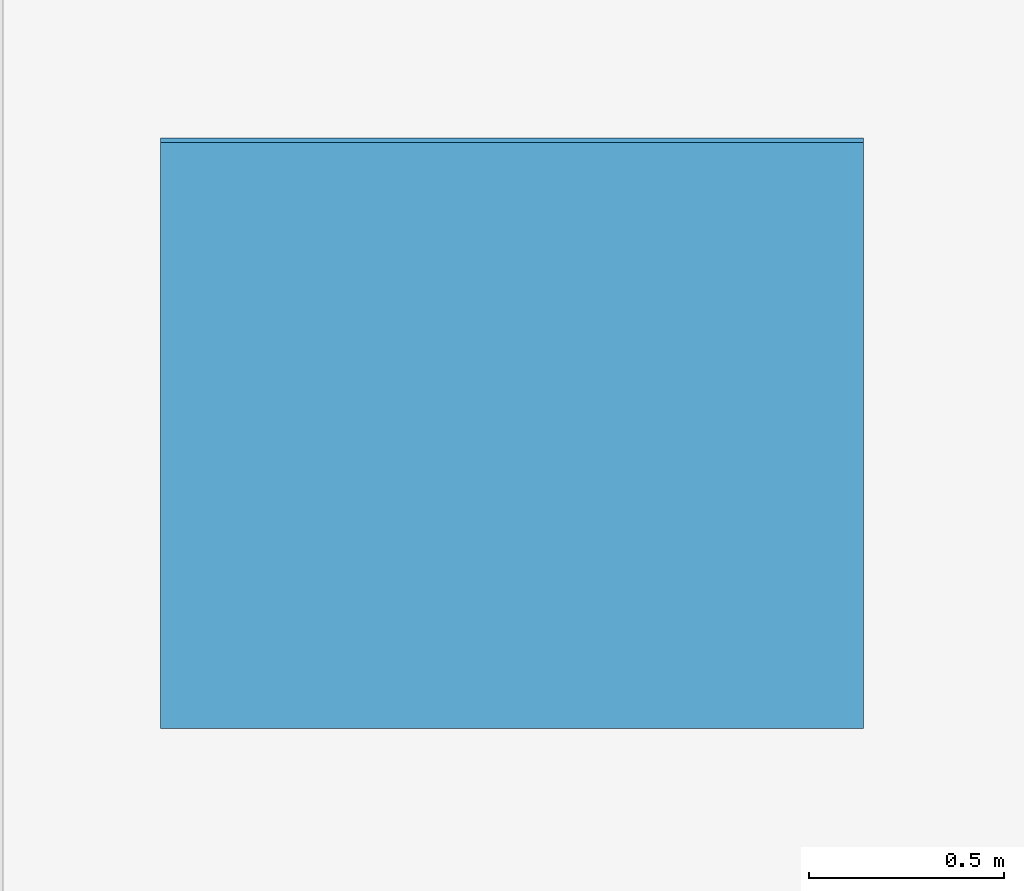
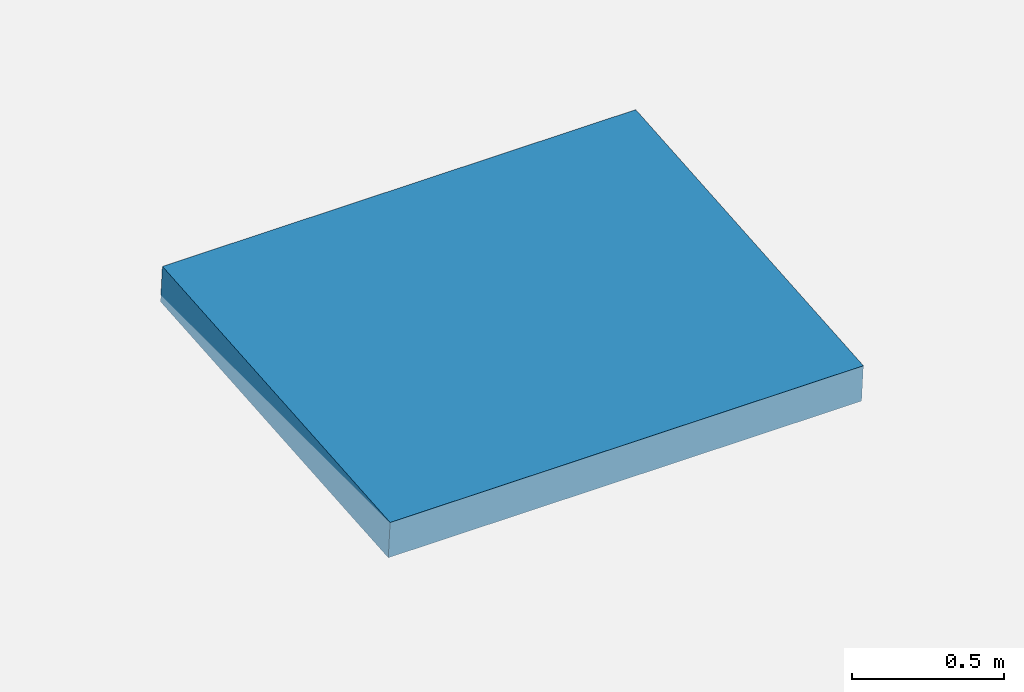
# One storey, part 14 of 24: 1 ramp, 1 ramp flight.
"""IFC4 building model written with IfcOpenShell, lengths in metres."""

from ifc_helpers import new_model, si_unit, direction, frame, origin, place, context, subcontext, project, spatial, polyline, outline, extrude, material, layer, layer_set, type_object, element, aggregate, save


model = new_model("IFC4")

# Units and contexts
model_context = context("Model", 3, precision=1e-05, world=origin(), true_north=direction((0.0, 1.0)))
body_context = subcontext(model_context, "Body", "Model", "MODEL_VIEW")
ifc_project = project(units=[si_unit("LENGTHUNIT", "METRE"), si_unit("AREAUNIT", "SQUARE_METRE"), si_unit("VOLUMEUNIT", "CUBIC_METRE"), si_unit("PLANEANGLEUNIT", "RADIAN"), si_unit("MASSUNIT", "GRAM", prefix="KILO")], contexts=[model_context])

# Site, building, storey
site_placement = place(None, origin())
site = spatial("IfcSite", under=ifc_project, at=site_placement, CompositionType="ELEMENT")
building_placement = place(site_placement, origin())
building = spatial("IfcBuilding", under=site, at=building_placement, Name="Tanjung Sevakor Pilgrim Tower", CompositionType="ELEMENT")
storey_placement = place(building_placement, frame((0.0, 0.0, 4.949951171875)))
storey = spatial("IfcBuildingStorey", under=building, at=storey_placement, Name="L02", CompositionType="ELEMENT", Elevation=4.949951171875)

# Ramp, ramp flight
ifc_material_1 = material(Name="Concrete C40/50", Category="concrete")
ramp_type = type_object("IfcRampType", Name="RAMP-PED-A", PredefinedType="STRAIGHT_RUN_RAMP", material=ifc_material_1)
ramp_placement = place(storey_placement, frame((33.5, 12.0, 0.0), z_axis=(0.0, -0.079822602517, 0.996809085095), x_axis=(1.0, 0.0, 0.0)))
ramp = element("IfcRamp", 1, at=ramp_placement, inside=storey, type_object=ramp_type, Name="L02 Accessible Pedestrian Ramp 5", PredefinedType="STRAIGHT_RUN_RAMP", context=body_context, shape_type="SweptSolid", body=[
    extrude(outline(polyline([(0.0, 0.0), (1.800048828125, 0.0), (1.800048828125, 1.5048016941553828), (0.0, 1.5048016941553828), (0.0, 0.0)])), origin(), (0.0, 0.0, -1.0), 0.14990234375),
])
ifc_material_2 = material(Name="Concrete C40/50", Category="concrete")
ifc_layer = layer(ifc_material_2, 0.14990234375)
ifc_layer_set = layer_set([ifc_layer], Name="RMPFL-PED")
ramp_flight_type = type_object("IfcRampFlightType", Name="RMPFL-PED", PredefinedType="STRAIGHT", material=ifc_layer_set)
ramp_flight_placement = place(storey_placement, frame((33.5, 12.0, 0.0), z_axis=(0.0, -0.079822602517, 0.996809085095), x_axis=(1.0, 0.0, 0.0)))
ramp_flight = element("IfcRampFlight", 2, at=ramp_flight_placement, type_object=ramp_flight_type, Name="L02 Accessible Ramp Flight 5", PredefinedType="STRAIGHT", context=body_context, shape_type="SweptSolid", body=[
    extrude(outline(polyline([(0.0, 0.0), (1.800048828125, 0.0), (1.800048828125, 1.5048016941553828), (0.0, 1.5048016941553828), (0.0, 0.0)])), origin(), (0.0, 0.0, -1.0), 0.14990234375),
])
aggregate(ramp, [ramp_flight])

save(model, "model.ifc")
